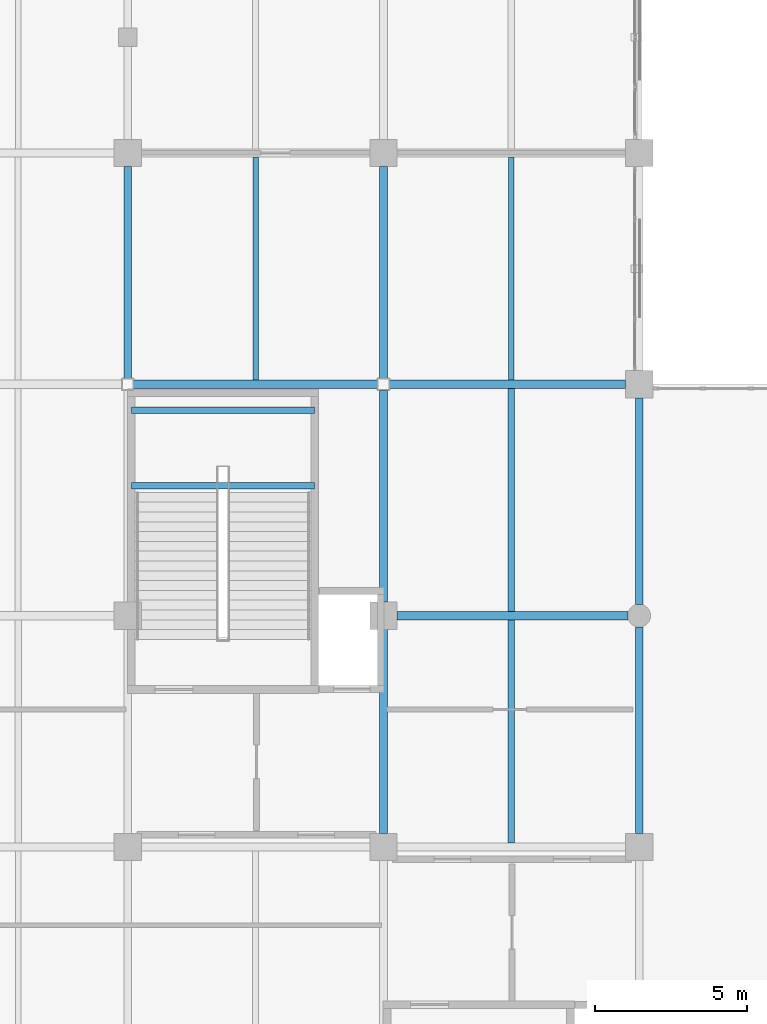
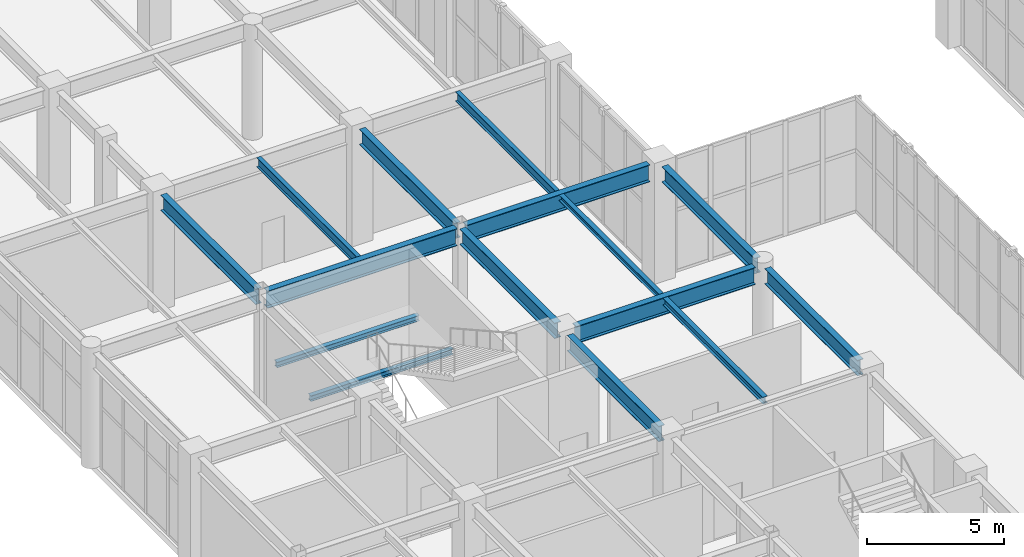
# One storey, part 44 of 139: 15 beams.
"""IFC4 building model written with IfcOpenShell, lengths in metres."""

from ifc_helpers import new_model, si_unit, direction, frame, origin, origin_2d, place, context, subcontext, project, spatial, i_section, extrude, material, material_profile, profile_set, type_object, element, save


model = new_model("IFC4")

# Units and contexts
model_context = context("Model", 3, precision=1e-05, world=origin(), true_north=direction((0.0, 1.0)))
body_context = subcontext(model_context, "Body", "Model", "MODEL_VIEW")
ifc_project = project(units=[si_unit("LENGTHUNIT", "METRE"), si_unit("AREAUNIT", "SQUARE_METRE"), si_unit("VOLUMEUNIT", "CUBIC_METRE"), si_unit("PLANEANGLEUNIT", "RADIAN"), si_unit("MASSUNIT", "GRAM", prefix="KILO")], contexts=[model_context])

# Site, building, storey
site_placement = place(None, origin())
site = spatial("IfcSite", under=ifc_project, at=site_placement, CompositionType="ELEMENT")
building_placement = place(site_placement, origin())
building = spatial("IfcBuilding", under=site, at=building_placement, Name="Xicomal Pleat Aquarium", CompositionType="ELEMENT")
storey_placement = place(building_placement, origin())
storey = spatial("IfcBuildingStorey", under=building, at=storey_placement, Name="L01", CompositionType="ELEMENT", Elevation=0.0)

# Beams
ifc_material_1 = material(Name="Structural steel A992 Gr 50", Category="steel")
ifc_material_profile_1 = material_profile(ifc_material_1, i_section(OverallWidth=0.201904296875, OverallDepth=0.2470703125, WebThickness=0.00732421875, FlangeThickness=0.010986328125, at=origin_2d()), Name="IR 250x49")
ifc_profile_set_1 = profile_set([ifc_material_profile_1], Name="Structural steel A992 Gr 50")
beam_type_1 = type_object("IfcBeamType", Name="BM-STL-IR250", PredefinedType="JOIST", material=ifc_profile_set_1)
beam_1_placement = place(storey_placement, frame((22.800048828125, 68.537109375, 5.03662109375), z_axis=(0.0, 1.0, 0.0), x_axis=(-1.0, 0.0, 0.0)))
element("IfcBeam", 1, at=beam_1_placement, inside=storey, type_object=beam_type_1, Name="L01 framing beam FBJ-L01-03-K-1", PredefinedType="JOIST", context=body_context, shape_type="SweptSolid", body=[
    extrude(i_section(OverallWidth=0.201904296875, OverallDepth=0.2470703125, WebThickness=0.00732421875, FlangeThickness=0.010986328125, at=origin_2d()), origin(), (0.0, 0.0, 1.0), 7.325927734375),
])
for number, where, z_axis, x_axis, name in (
    (2, (10.320068359375, 75.14990234375, 2.37890625), (1.0, 0.0, 0.0), (0.0, 1.0, 0.0), "ST-03-L01 half-landing bearer beam 1"),
    (3, (10.320068359375, 72.669921875, 2.37890625), (1.0, 0.0, 0.0), (0.0, 1.0, 0.0), "ST-03-L01 half-landing bearer beam 2"),
):
    element("IfcBeam", number, at=place(storey_placement, frame(where, z_axis=z_axis, x_axis=x_axis)), inside=storey, type_object=beam_type_1, Name=name, PredefinedType="JOIST", context=body_context, shape_type="SweptSolid", body=[
        extrude(i_section(OverallWidth=0.201904296875, OverallDepth=0.2470703125, WebThickness=0.00732421875, FlangeThickness=0.010986328125, at=origin_2d()), origin(), (0.0, 0.0, 1.0), 6.02001953125),
    ])
ifc_material_2 = material(Name="Structural steel A992 Gr 50", Category="steel")
ifc_material_profile_2 = material_profile(ifc_material_2, i_section(OverallWidth=0.202880859375, OverallDepth=0.302978515625, WebThickness=0.007568359375, FlangeThickness=0.01318359375, at=origin_2d()), Name="IR 310x60")
ifc_profile_set_2 = profile_set([ifc_material_profile_2], Name="Structural steel A992 Gr 50")
beam_type_2 = type_object("IfcBeamType", Name="BM-STL-IR310", PredefinedType="JOIST", material=ifc_profile_set_2)
beam_2_placement = place(storey_placement, frame((22.800048828125, 60.93701171875, 5.008544921875), z_axis=(0.0, 1.0, 0.0), x_axis=(-1.0, 0.0, 0.0)))
element("IfcBeam", 4, at=beam_2_placement, inside=storey, type_object=beam_type_2, Name="L01 framing beam FBJ-L01-03-J-1", PredefinedType="JOIST", context=body_context, shape_type="SweptSolid", body=[
    extrude(i_section(OverallWidth=0.202880859375, OverallDepth=0.302978515625, WebThickness=0.007568359375, FlangeThickness=0.01318359375, at=origin_2d()), origin(), (0.0, 0.0, 1.0), 7.325927734375),
])
ifc_material_3 = material(Name="Structural steel A992 Gr 50", Category="steel")
ifc_material_profile_3 = material_profile(ifc_material_3, i_section(OverallWidth=0.180908203125, OverallDepth=0.4169921875, WebThickness=0.010986328125, FlangeThickness=0.018310546875, at=origin_2d()), Name="IR 410x85")
ifc_profile_set_3 = profile_set([ifc_material_profile_3], Name="Structural steel A992 Gr 50")
beam_type_3 = type_object("IfcBeamType", Name="BM-STL-IR410", PredefinedType="JOIST", material=ifc_profile_set_3)
for number, where, z_axis, x_axis, name in (
    (5, (14.39990234375, 76.136962890625, 4.951416015625), (0.0, 1.0, 0.0), (-1.0, 0.0, 0.0), "L01 framing beam FBJ-L01-02-L-1"),
    (6, (22.800048828125, 76.136962890625, 4.951416015625), (0.0, 1.0, 0.0), (-1.0, 0.0, 0.0), "L01 framing beam FBJ-L01-03-L-1"),
):
    element("IfcBeam", number, at=place(storey_placement, frame(where, z_axis=z_axis, x_axis=x_axis)), inside=storey, type_object=beam_type_3, Name=name, PredefinedType="JOIST", context=body_context, shape_type="SweptSolid", body=[
        extrude(i_section(OverallWidth=0.180908203125, OverallDepth=0.4169921875, WebThickness=0.010986328125, FlangeThickness=0.018310546875, at=origin_2d()), origin(), (0.0, 0.0, 1.0), 7.325927734375),
    ])
ifc_material_4 = material(Name="Structural steel A992 Gr 50", Category="steel")
ifc_material_profile_4 = material_profile(ifc_material_4, i_section(OverallWidth=0.256103515625, OverallDepth=0.693115234375, WebThickness=0.014404296875, FlangeThickness=0.023681640625, at=origin_2d()), Name="IR 690x170")
ifc_profile_set_4 = profile_set([ifc_material_profile_4], Name="Structural steel A992 Gr 50")
beam_type_4 = type_object("IfcBeamType", Name="BM-STL-IR690", PredefinedType="BEAM", material=ifc_profile_set_4)
beam_3_placement = place(storey_placement, frame((10.199951171875, 76.195068359375, 4.8134765625), z_axis=(0.0, 1.0, 0.0), x_axis=(-1.0, 0.0, 0.0)))
element("IfcBeam", 7, at=beam_3_placement, inside=storey, type_object=beam_type_4, Name="L01 framing beam FGY-L01-02-L-M", PredefinedType="BEAM", context=body_context, shape_type="SweptSolid", body=[
    extrude(i_section(OverallWidth=0.256103515625, OverallDepth=0.693115234375, WebThickness=0.014404296875, FlangeThickness=0.023681640625, at=origin_2d()), origin(), (0.0, 0.0, 1.0), 6.9599609375),
])
beam_4_placement = place(storey_placement, frame((18.60009765625, 61.2451171875, 4.8134765625), z_axis=(0.0, 1.0, 0.0), x_axis=(-1.0, 0.0, 0.0)))
element("IfcBeam", 8, at=beam_4_placement, inside=storey, type_object=beam_type_4, Name="L01 framing beam FGY-L01-03-J-K", PredefinedType="BEAM", context=body_context, shape_type="SweptSolid", body=[
    extrude(i_section(OverallWidth=0.256103515625, OverallDepth=0.693115234375, WebThickness=0.014404296875, FlangeThickness=0.023681640625, at=origin_2d()), origin(), (0.0, 0.0, 1.0), 6.7099609375),
])
for number, where, z_axis, x_axis, name in (
    (9, (18.60009765625, 68.844970703125, 4.8134765625), (0.0, 1.0, 0.0), (-1.0, 0.0, 0.0), "L01 framing beam FGY-L01-03-K-L"),
    (10, (18.60009765625, 76.195068359375, 4.8134765625), (0.0, 1.0, 0.0), (-1.0, 0.0, 0.0), "L01 framing beam FGY-L01-03-L-M"),
):
    element("IfcBeam", number, at=place(storey_placement, frame(where, z_axis=z_axis, x_axis=x_axis)), inside=storey, type_object=beam_type_4, Name=name, PredefinedType="BEAM", context=body_context, shape_type="SweptSolid", body=[
        extrude(i_section(OverallWidth=0.256103515625, OverallDepth=0.693115234375, WebThickness=0.014404296875, FlangeThickness=0.023681640625, at=origin_2d()), origin(), (0.0, 0.0, 1.0), 6.9599609375),
    ])
for number, where, z_axis, x_axis, name in (
    (11, (27.0, 61.2451171875, 4.8134765625), (0.0, 1.0, 0.0), (-1.0, 0.0, 0.0), "L01 framing beam FGY-L01-04-J-K"),
    (12, (27.0, 68.77001953125, 4.8134765625), (0.0, 1.0, 0.0), (-1.0, 0.0, 0.0), "L01 framing beam FGY-L01-04-K-L"),
):
    element("IfcBeam", number, at=place(storey_placement, frame(where, z_axis=z_axis, x_axis=x_axis)), inside=storey, type_object=beam_type_4, Name=name, PredefinedType="BEAM", context=body_context, shape_type="SweptSolid", body=[
        extrude(i_section(OverallWidth=0.256103515625, OverallDepth=0.693115234375, WebThickness=0.014404296875, FlangeThickness=0.023681640625, at=origin_2d()), origin(), (0.0, 0.0, 1.0), 6.784912109375),
    ])
ifc_material_5 = material(Name="Structural steel A992 Gr 50", Category="steel")
ifc_material_profile_5 = material_profile(ifc_material_5, i_section(OverallWidth=0.26806640625, OverallDepth=0.77001953125, WebThickness=0.015625, FlangeThickness=0.025390625, at=origin_2d()), Name="IR 760x196")
ifc_profile_set_5 = profile_set([ifc_material_profile_5], Name="Structural steel A992 Gr 50")
beam_type_5 = type_object("IfcBeamType", Name="BM-STL-IR760", PredefinedType="BEAM", material=ifc_profile_set_5)
beam_5_placement = place(storey_placement, frame((19.044921875, 68.39990234375, 4.77490234375), z_axis=(1.0, 0.0, 0.0), x_axis=(0.0, 1.0, 0.0)))
element("IfcBeam", 13, at=beam_5_placement, inside=storey, type_object=beam_type_5, Name="L01 framing beam FGX-L01-03-04-K", PredefinedType="BEAM", context=body_context, shape_type="SweptSolid", body=[
    extrude(i_section(OverallWidth=0.26806640625, OverallDepth=0.77001953125, WebThickness=0.015625, FlangeThickness=0.025390625, at=origin_2d()), origin(), (0.0, 0.0, 1.0), 7.5849609375),
])
beam_6_placement = place(storey_placement, frame((10.39501953125, 76.0, 4.77490234375), z_axis=(1.0, 0.0, 0.0), x_axis=(0.0, 1.0, 0.0)))
element("IfcBeam", 14, at=beam_6_placement, inside=storey, type_object=beam_type_5, Name="L01 framing beam FGX-L01-02-03-L", PredefinedType="BEAM", context=body_context, shape_type="SweptSolid", body=[
    extrude(i_section(OverallWidth=0.26806640625, OverallDepth=0.77001953125, WebThickness=0.015625, FlangeThickness=0.025390625, at=origin_2d()), origin(), (0.0, 0.0, 1.0), 8.010009765625),
])
beam_7_placement = place(storey_placement, frame((18.794921875, 76.0, 4.77490234375), z_axis=(1.0, 0.0, 0.0), x_axis=(0.0, 1.0, 0.0)))
element("IfcBeam", 15, at=beam_7_placement, inside=storey, type_object=beam_type_5, Name="L01 framing beam FGX-L01-03-04-L", PredefinedType="BEAM", context=body_context, shape_type="SweptSolid", body=[
    extrude(i_section(OverallWidth=0.26806640625, OverallDepth=0.77001953125, WebThickness=0.015625, FlangeThickness=0.025390625, at=origin_2d()), origin(), (0.0, 0.0, 1.0), 7.760009765625),
])

save(model, "model.ifc")
